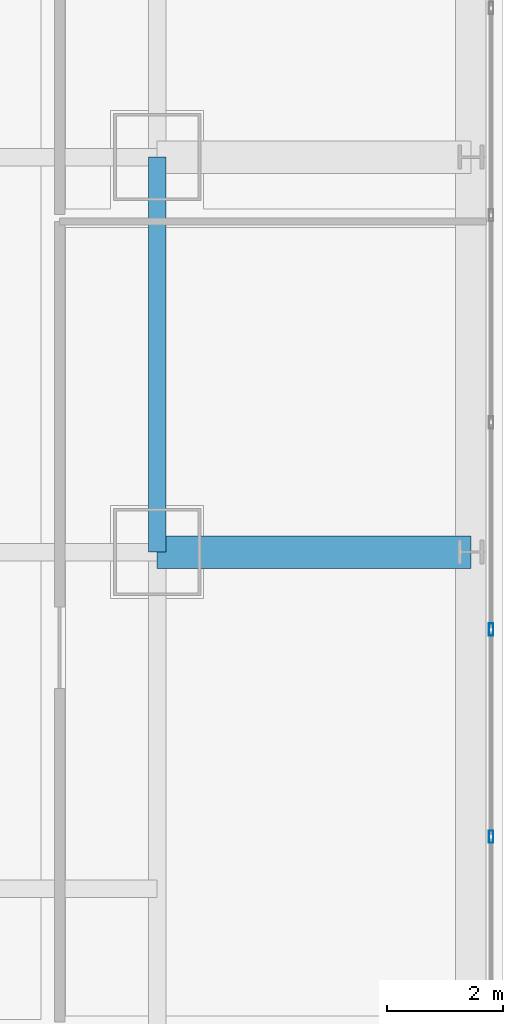
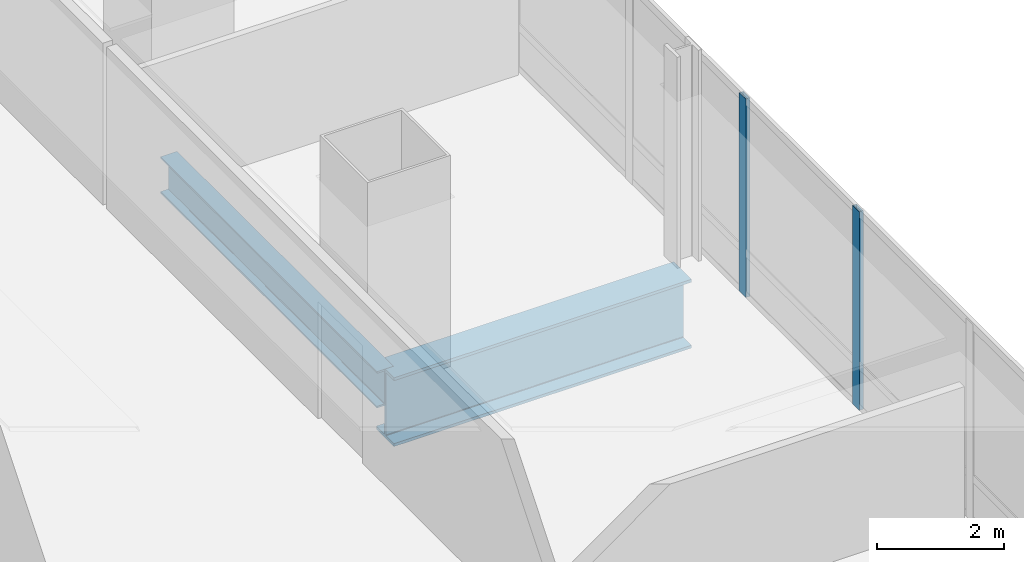
# One storey, part 15 of 34: 2 beams, 2 members, 1 element without a shape of its own.
"""IFC4 building model written with IfcOpenShell, lengths in metres."""

from ifc_helpers import new_model, si_unit, direction, frame, origin, origin_2d, place, context, subcontext, project, spatial, hollow_rectangle, i_section, extrude, material, material_profile, profile_set, type_object, element, aggregate, save


model = new_model("IFC4")

# Units and contexts
model_context = context("Model", 3, precision=1e-05, world=origin(), true_north=direction((0.0, 1.0)))
body_context = subcontext(model_context, "Body", "Model", "MODEL_VIEW")
ifc_project = project(units=[si_unit("LENGTHUNIT", "METRE"), si_unit("AREAUNIT", "SQUARE_METRE"), si_unit("VOLUMEUNIT", "CUBIC_METRE"), si_unit("PLANEANGLEUNIT", "RADIAN"), si_unit("MASSUNIT", "GRAM", prefix="KILO")], contexts=[model_context])

# Site, building, storey
site_placement = place(None, origin())
site = spatial("IfcSite", under=ifc_project, at=site_placement, CompositionType="ELEMENT")
building_placement = place(site_placement, origin())
building = spatial("IfcBuilding", under=site, at=building_placement, Name="Punatoya Terracotta Tower", CompositionType="ELEMENT")
storey_placement = place(building_placement, frame((0.0, 0.0, 97.050048828125)))
storey = spatial("IfcBuildingStorey", under=building, at=storey_placement, Name="L22", CompositionType="ELEMENT", Elevation=97.050048828125)

# Beams
ifc_material_1 = material(Name="Steel S355", Category="steel")
ifc_material_profile_1 = material_profile(ifc_material_1, i_section(OverallWidth=0.300048828125, OverallDepth=0.699951171875, WebThickness=0.01708984375, FlangeThickness=0.031982421875, FilletRadius=0.01806640625, at=origin_2d()))
ifc_profile_set_1 = profile_set([ifc_material_profile_1], Name="Steel S355")
beam_type_1 = type_object("IfcBeamType", Name="BM-PRI-700", PredefinedType="BEAM", material=ifc_profile_set_1)
beam_1_placement = place(storey_placement, frame((19.10009765625, -3.39990234375, -0.590087890625), z_axis=(0.0, 1.0, 0.0), x_axis=(-1.0, 0.0, 0.0)))
element("IfcBeam", 1, at=beam_1_placement, inside=storey, type_object=beam_type_1, Name="BM-L22-RG-E2", PredefinedType="BEAM", context=body_context, shape_type="SweptSolid", body=[
    extrude(i_section(OverallWidth=0.300048828125, OverallDepth=0.699951171875, WebThickness=0.01708984375, FlangeThickness=0.031982421875, FilletRadius=0.01806640625, at=origin_2d()), origin(), (0.0, 0.0, 1.0), 6.7998046875),
])
ifc_material_2 = material(Name="Steel S460", Category="steel")
ifc_material_profile_2 = material_profile(ifc_material_2, i_section(OverallWidth=0.56005859375, OverallDepth=1.320068359375, WebThickness=0.035888671875, FlangeThickness=0.054931640625, FilletRadius=0.01806640625, at=origin_2d()))
ifc_profile_set_2 = profile_set([ifc_material_profile_2], Name="Steel S460")
beam_type_2 = type_object("IfcBeamType", Name="BM-TG-BLK", PredefinedType="BEAM", material=ifc_profile_set_2)
beam_2_placement = place(storey_placement, frame((19.10009765625, -3.39990234375, -0.900146484375), z_axis=(1.0, 0.0, 0.0), x_axis=(0.0, 1.0, 0.0)))
element("IfcBeam", 2, at=beam_2_placement, inside=storey, type_object=beam_type_2, Name="BM-L22-CANT-E2", PredefinedType="BEAM", context=body_context, shape_type="SweptSolid", body=[
    extrude(i_section(OverallWidth=0.56005859375, OverallDepth=1.320068359375, WebThickness=0.035888671875, FlangeThickness=0.054931640625, FilletRadius=0.01806640625, at=origin_2d()), origin(), (0.0, 0.0, 1.0), 5.39990234375),
])

# Curtain wall, members
ifc_material_3 = material(Name="Aluminium 6063-T6 + Double Low-E Glass", Category="aluminium")
curtain_wall_type = type_object("IfcCurtainWallType", Name="CW-M1", PredefinedType="NOTDEFINED", material=ifc_material_3)
curtain_wall_placement = place(storey_placement, origin())
curtain_wall = element("IfcCurtainWall", 3, at=curtain_wall_placement, inside=storey, type_object=curtain_wall_type, Name="L22 Curtain Wall CW-L22-E05-1", PredefinedType="NOTDEFINED")
ifc_material_4 = material(Name="Aluminium 6063-T6", Category="aluminium")
ifc_material_profile_3 = material_profile(ifc_material_4, hollow_rectangle(XDim=0.074951171875, YDim=0.2099609375, WallThickness=0.00439453125, at=origin_2d()))
ifc_profile_set_3 = profile_set([ifc_material_profile_3], Name="Aluminium 6063-T6")
member_type = type_object("IfcMemberType", Name="CW-MUL-M1", PredefinedType="MULLION", material=ifc_profile_set_3)
member_1_placement = place(storey_placement, frame((24.85009765625, -8.302001953125, 0.0), z_axis=(0.0, 0.0, 1.0), x_axis=(1.0, 0.0, 0.0)))
member_1 = element("IfcMember", 4, at=member_1_placement, type_object=member_type, Name="CW-L22-E05-1 Mullion 02", PredefinedType="MULLION", context=body_context, shape_type="SweptSolid", body=[
    extrude(hollow_rectangle(XDim=0.074951171875, YDim=0.2099609375, WallThickness=0.00439453125, at=origin_2d()), origin(), (0.0, 0.0, 1.0), 3.81005859375),
])
member_2_placement = place(storey_placement, frame((24.85009765625, -4.73486328125, 0.0), z_axis=(0.0, 0.0, 1.0), x_axis=(1.0, 0.0, 0.0)))
member_2 = element("IfcMember", 5, at=member_2_placement, type_object=member_type, Name="CW-L22-E05-1 Mullion 03", PredefinedType="MULLION", context=body_context, shape_type="SweptSolid", body=[
    extrude(hollow_rectangle(XDim=0.074951171875, YDim=0.2099609375, WallThickness=0.00439453125, at=origin_2d()), origin(), (0.0, 0.0, 1.0), 3.81005859375),
])
aggregate(curtain_wall, [member_1, member_2])

save(model, "model.ifc")
